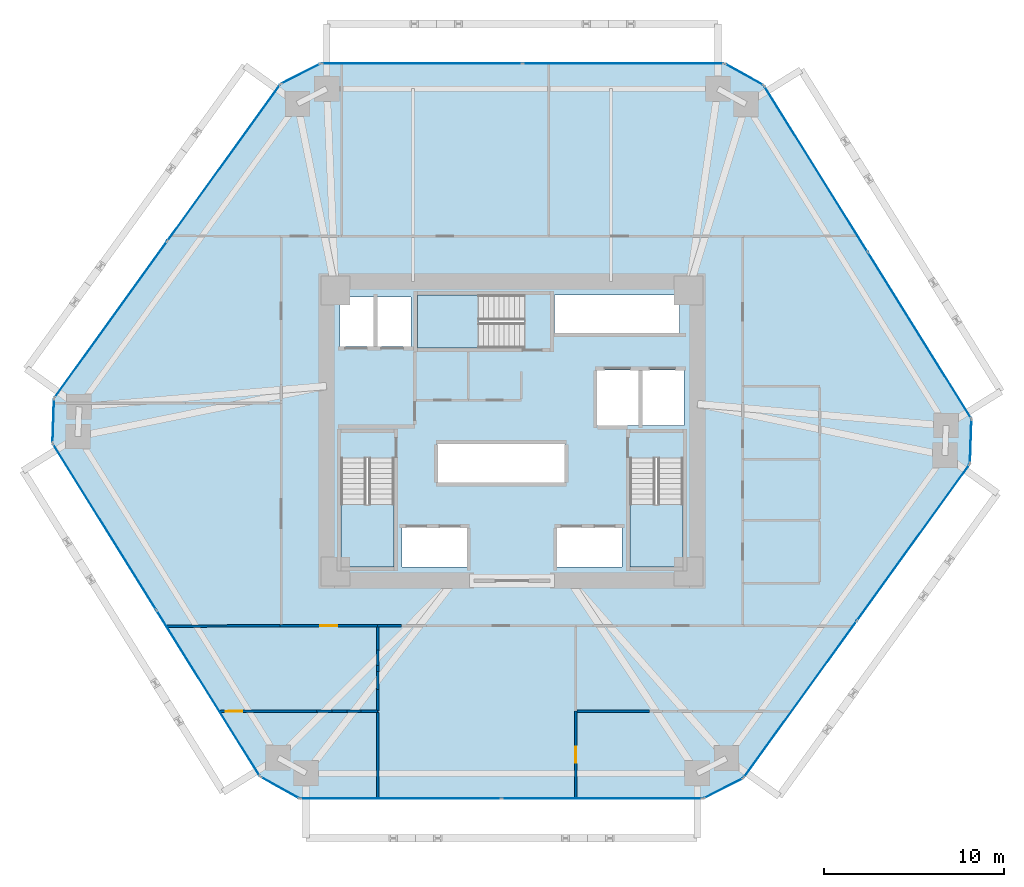
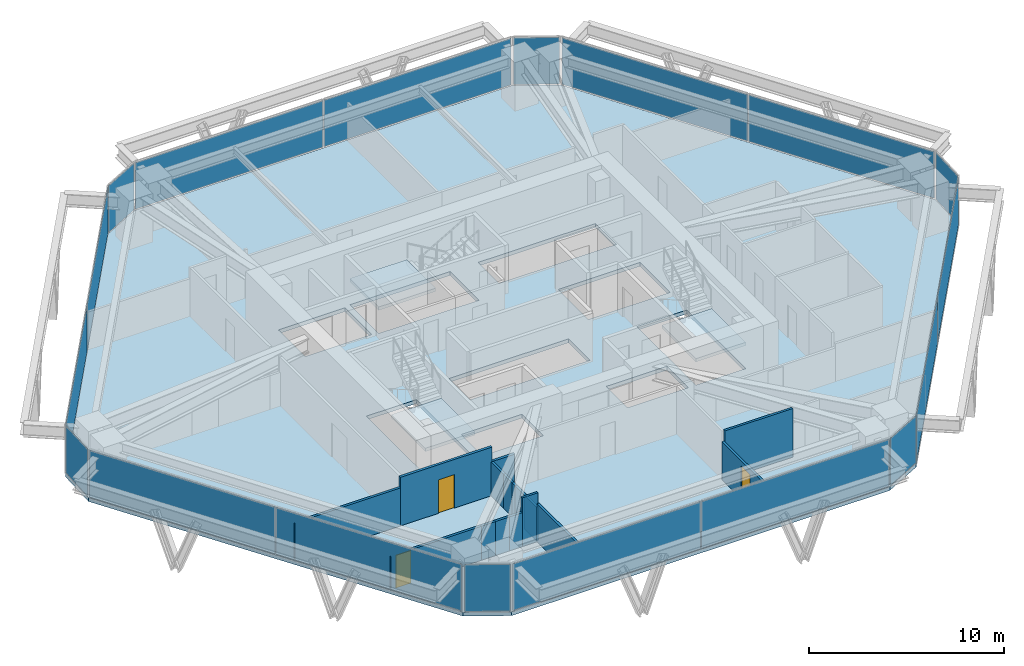
# One storey, part 10 of 14: 18 plates, 16 walls, 4 slabs, 3 doors, 3 openings, 15 elements without a shape of their own.
"""IFC4 building model written with IfcOpenShell, lengths in metres."""

from ifc_helpers import new_model, si_unit, direction, frame, frame_2d, origin, origin_2d, place, context, subcontext, project, spatial, polyline, rectangle, outline, extrude, source, transform, mapped, material, layer, layer_set, type_object, type_shapes, element, fill, aggregate, save


model = new_model("IFC4")

# Units and contexts
model_context = context("Model", 3, precision=1e-05, world=origin(), true_north=direction((0.0, 1.0)))
body_context = subcontext(model_context, "Body", "Model", "MODEL_VIEW")
ifc_project = project(units=[si_unit("LENGTHUNIT", "METRE"), si_unit("AREAUNIT", "SQUARE_METRE"), si_unit("VOLUMEUNIT", "CUBIC_METRE"), si_unit("PLANEANGLEUNIT", "RADIAN"), si_unit("MASSUNIT", "GRAM", prefix="KILO")], contexts=[model_context])

# Site, building, storey
site_placement = place(None, origin())
site = spatial("IfcSite", under=ifc_project, at=site_placement, CompositionType="ELEMENT")
building_placement = place(site_placement, origin())
building = spatial("IfcBuilding", under=site, at=building_placement, Name="Durnholm Broadcast Tower", CompositionType="ELEMENT")
storey_placement = place(building_placement, frame((0.0, 0.0, 48.89990234375)))
storey = spatial("IfcBuildingStorey", under=building, at=storey_placement, Name="L11", CompositionType="ELEMENT", Elevation=48.89990234375)

# Slab
ifc_material_1 = material(Name="Concrete C50/60", Category="concrete")
ifc_layer_1 = layer(ifc_material_1, 0.239990234375)
ifc_layer_set_1 = layer_set([ifc_layer_1], Name="Concrete C50/60")
slab_type_1 = type_object("IfcSlabType", Name="SLAB-FLR-240", PredefinedType="FLOOR", material=ifc_layer_set_1)
slab_1_placement = place(storey_placement, frame((0.0, 0.0, -0.239990234375)))
element("IfcSlab", 1, at=slab_1_placement, inside=storey, type_object=slab_type_1, Name="L11 structural floor slab", PredefinedType="FLOOR", context=body_context, shape_type="SweptSolid", body=[
    extrude(outline(polyline([(-13.9794921875, -19.186279296875), (-11.793701171875, -20.39990234375), (10.6201171875, -20.39990234375), (12.845703125, -19.260986328125), (25.419921875, -1.820556640625), (25.50439453125, 0.677978515625), (13.9794921875, 19.186279296875), (11.793701171875, 20.39990234375), (-10.6201171875, 20.39990234375), (-12.845703125, 19.260986328125), (-25.419921875, 1.820556640625), (-25.50439453125, -0.677978515625), (-13.9794921875, -19.186279296875)]), holes=[polyline([(-2.5, -5.35009765625), (-6.10009765625, -5.35009765625), (-6.10009765625, -7.550048828125), (-2.5, -7.550048828125), (-2.5, -5.35009765625)]), polyline([(6.10009765625, -5.35009765625), (2.5, -5.35009765625), (2.5, -7.550048828125), (6.10009765625, -7.550048828125), (6.10009765625, -5.35009765625)]), polyline([(-6.5400390625, -7.550048828125), (-6.5400390625, -1.5), (-9.5, -1.5), (-9.5, -7.550048828125), (-6.5400390625, -7.550048828125)]), polyline([(9.5, -7.550048828125), (9.5, -1.5), (6.5400390625, -1.5), (6.5400390625, -7.550048828125), (9.5, -7.550048828125)]), polyline([(2.949951171875, -0.699951171875), (-4.14990234375, -0.699951171875), (-4.14990234375, -2.89990234375), (2.949951171875, -2.89990234375), (2.949951171875, -0.699951171875)]), polyline([(9.550048828125, 3.39990234375), (4.699951171875, 3.39990234375), (4.699951171875, 0.300048828125), (9.550048828125, 0.300048828125), (9.550048828125, 3.39990234375)]), polyline([(-5.60009765625, 7.449951171875), (-9.550048828125, 7.449951171875), (-9.550048828125, 4.699951171875), (-5.60009765625, 4.699951171875), (-5.60009765625, 7.449951171875)]), polyline([(-5.25, 7.56005859375), (-5.25, 4.60009765625), (0.699951171875, 4.60009765625), (0.699951171875, 7.56005859375), (-5.25, 7.56005859375)]), polyline([(9.31005859375, 5.39990234375), (9.31005859375, 7.550048828125), (2.35009765625, 7.550048828125), (2.35009765625, 5.39990234375), (9.31005859375, 5.39990234375)])]), origin(), (0.0, 0.0, 1.0), 0.239990234375),
])

# Stair, slab
stair_type = type_object("IfcStairType", Name="STAIR-DL-20R1650", PredefinedType="HALF_TURN_STAIR", material=ifc_material_1)
stair_1_placement = place(storey_placement, origin())
stair_1 = element("IfcStair", 2, at=stair_1_placement, inside=storey, type_object=stair_type, Name="L11 ST-1", PredefinedType="HALF_TURN_STAIR")
ifc_layer_2 = layer(ifc_material_1, 0.199951171875)
ifc_layer_set_2 = layer_set([ifc_layer_2], Name="Concrete C50/60")
slab_type_2 = type_object("IfcSlabType", Name="SLAB-LND-200", PredefinedType="LANDING", material=ifc_layer_set_2)
slab_2_placement = place(storey_placement, frame((0.0, 0.0, 1.4501953125)))
slab_2 = element("IfcSlab", 3, at=slab_2_placement, type_object=slab_type_2, Name="ST-1 landing 1", PredefinedType="LANDING", context=body_context, shape_type="SweptSolid", body=[
    extrude(outline(polyline([(-9.5, -4.06494140625), (-9.5, -7.550048828125), (-6.5400390625, -7.550048828125), (-6.5400390625, -4.06494140625), (-9.5, -4.06494140625)])), origin(), (0.0, 0.0, 1.0), 0.199951171875),
])
aggregate(stair_1, [slab_2])

stair_2_placement = place(storey_placement, origin())
stair_2 = element("IfcStair", 4, at=stair_2_placement, inside=storey, type_object=stair_type, Name="L11 ST-2", PredefinedType="HALF_TURN_STAIR")
slab_3_placement = place(storey_placement, frame((0.0, 0.0, 1.4501953125)))
slab_3 = element("IfcSlab", 5, at=slab_3_placement, type_object=slab_type_2, Name="ST-2 landing 1", PredefinedType="LANDING", context=body_context, shape_type="SweptSolid", body=[
    extrude(outline(polyline([(6.5400390625, -4.06494140625), (6.5400390625, -7.550048828125), (9.5, -7.550048828125), (9.5, -4.06494140625), (6.5400390625, -4.06494140625)])), origin(), (0.0, 0.0, 1.0), 0.199951171875),
])
aggregate(stair_2, [slab_3])

stair_3_placement = place(storey_placement, origin())
stair_3 = element("IfcStair", 6, at=stair_3_placement, inside=storey, type_object=stair_type, Name="L11 ST-3", PredefinedType="HALF_TURN_STAIR")
slab_4_placement = place(storey_placement, frame((0.0, 0.0, 1.4501953125)))
slab_4 = element("IfcSlab", 7, at=slab_4_placement, type_object=slab_type_2, Name="ST-3 landing 1", PredefinedType="LANDING", context=body_context, shape_type="SweptSolid", body=[
    extrude(outline(polyline([(-1.864990234375, 7.56005859375), (-5.25, 7.56005859375), (-5.25, 4.60009765625), (-1.864990234375, 4.60009765625), (-1.864990234375, 7.56005859375)])), origin(), (0.0, 0.0, 1.0), 0.199951171875),
])
aggregate(stair_3, [slab_4])

# Curtain wall, plate
ifc_material_2 = material(Name="Aluminium and Solar Control IGU", Category="aluminium")
ifc_layer_3 = layer(ifc_material_2, 0.1650390625)
ifc_layer_set_3 = layer_set([ifc_layer_3], Name="Aluminium and Solar Control IGU")
curtain_wall_type_1 = type_object("IfcCurtainWallType", Name="CW-SYS-5", PredefinedType="NOTDEFINED", material=ifc_layer_set_3)
curtain_wall_1_placement = place(storey_placement, origin())
curtain_wall_1 = element("IfcCurtainWall", 8, at=curtain_wall_1_placement, inside=storey, type_object=curtain_wall_type_1, Name="L11 curtain wall CW-CORNER CW-L11-CRN-01", PredefinedType="NOTDEFINED")
ifc_material_3 = material(Name="Low-E Laminated Insulating Glass", Category="glass")
ifc_layer_4 = layer(ifc_material_3, 0.030029296875)
ifc_layer_set_4 = layer_set([ifc_layer_4], Name="Low-E Laminated Insulating Glass")
plate_type_1 = type_object("IfcPlateType", Name="CW-SYS-5-PNL", PredefinedType="CURTAIN_PANEL", material=ifc_layer_set_4)
shared_shape_1 = source(origin(), body_context, "Body", "SweptSolid", [
    extrude(rectangle(XDim=2.3701171875, YDim=0.030029296875, at=origin_2d()), origin(), (0.0, 0.0, 1.0), 2.929931640625),
])
plate_1_placement = place(storey_placement, frame((-25.462158203125, 0.5712890625, 0.06494140625), z_axis=(0.0, 0.0, 1.0), x_axis=(0.033839569233, 0.999427277772, 0.0)))
plate_1 = element("IfcPlate", 9, at=plate_1_placement, type_object=plate_type_1, Name="CW-CORNER panel 1.1", PredefinedType="CURTAIN_PANEL", context=body_context, shape_type="MappedRepresentation", body=[
    mapped(shared_shape_1, transform((0.0, 0.0, 0.0), x_axis=(1.0, 0.0, 0.0), y_axis=(0.0, 1.0, 0.0), z_axis=(0.0, 0.0, 1.0), scale=1.0)),
])
aggregate(curtain_wall_1, [plate_1])

curtain_wall_2_placement = place(storey_placement, origin())
curtain_wall_2 = element("IfcCurtainWall", 10, at=curtain_wall_2_placement, inside=storey, type_object=curtain_wall_type_1, Name="L11 curtain wall CW-CORNER CW-L11-CRN-03", PredefinedType="NOTDEFINED")
plate_2_placement = place(storey_placement, frame((-11.73291015625, 19.83056640625, 0.06494140625), z_axis=(0.0, 0.0, 1.0), x_axis=(0.890187804512, 0.455593758406, 0.0)))
plate_2 = element("IfcPlate", 11, at=plate_2_placement, type_object=plate_type_1, Name="CW-CORNER panel 1.1", PredefinedType="CURTAIN_PANEL", context=body_context, shape_type="MappedRepresentation", body=[
    mapped(shared_shape_1, transform((0.0, 0.0, 0.0), x_axis=(1.0, 0.0, 0.0), y_axis=(0.0, 1.0, 0.0), z_axis=(0.0, 0.0, 1.0), scale=1.0)),
])
aggregate(curtain_wall_2, [plate_2])

curtain_wall_3_placement = place(storey_placement, origin())
curtain_wall_3 = element("IfcCurtainWall", 12, at=curtain_wall_3_placement, inside=storey, type_object=curtain_wall_type_1, Name="L11 curtain wall CW-CORNER CW-L11-CRN-07", PredefinedType="NOTDEFINED")
plate_3_placement = place(storey_placement, frame((25.462158203125, -0.5712890625, 0.06494140625), z_axis=(0.0, 0.0, 1.0), x_axis=(-0.033839569233, -0.999427277772, 0.0)))
plate_3 = element("IfcPlate", 13, at=plate_3_placement, type_object=plate_type_1, Name="CW-CORNER panel 1.1", PredefinedType="CURTAIN_PANEL", context=body_context, shape_type="MappedRepresentation", body=[
    mapped(shared_shape_1, transform((0.0, 0.0, 0.0), x_axis=(1.0, 0.0, 0.0), y_axis=(0.0, 1.0, 0.0), z_axis=(0.0, 0.0, 1.0), scale=1.0)),
])
aggregate(curtain_wall_3, [plate_3])

curtain_wall_4_placement = place(storey_placement, origin())
curtain_wall_4 = element("IfcCurtainWall", 14, at=curtain_wall_4_placement, inside=storey, type_object=curtain_wall_type_1, Name="L11 curtain wall CW-CORNER CW-L11-CRN-09", PredefinedType="NOTDEFINED")
plate_4_placement = place(storey_placement, frame((11.73291015625, -19.83056640625, 0.06494140625), z_axis=(0.0, 0.0, 1.0), x_axis=(-0.890187804512, -0.455593758406, 0.0)))
plate_4 = element("IfcPlate", 15, at=plate_4_placement, type_object=plate_type_1, Name="CW-CORNER panel 1.1", PredefinedType="CURTAIN_PANEL", context=body_context, shape_type="MappedRepresentation", body=[
    mapped(shared_shape_1, transform((0.0, 0.0, 0.0), x_axis=(1.0, 0.0, 0.0), y_axis=(0.0, 1.0, 0.0), z_axis=(0.0, 0.0, 1.0), scale=1.0)),
])
aggregate(curtain_wall_4, [plate_4])

# Curtain wall, plates
ifc_layer_5 = layer(ifc_material_2, 0.18994140625)
ifc_layer_set_5 = layer_set([ifc_layer_5], Name="Aluminium and Solar Control IGU")
curtain_wall_type_2 = type_object("IfcCurtainWallType", Name="CW-SYS-3", PredefinedType="NOTDEFINED", material=ifc_layer_set_5)
curtain_wall_5_placement = place(storey_placement, origin())
curtain_wall_5 = element("IfcCurtainWall", 16, at=curtain_wall_5_placement, inside=storey, type_object=curtain_wall_type_2, Name="L11 curtain wall CW-Z12-VIS CW-L11-F02", PredefinedType="NOTDEFINED")
ifc_layer_6 = layer(ifc_material_3, 0.031982421875)
ifc_layer_set_6 = layer_set([ifc_layer_6], Name="Low-E Laminated Insulating Glass")
plate_type_2 = type_object("IfcPlateType", Name="CW-SYS-3-PNL", PredefinedType="CURTAIN_PANEL", material=ifc_layer_set_6)
shared_shape_2 = source(origin(), body_context, "Body", "SweptSolid", [
    extrude(rectangle(XDim=10.645263671875, YDim=0.031982421875, at=origin_2d()), origin(), (0.0, 0.0, 1.0), 2.919921875),
])
plate_5_placement = place(storey_placement, frame((-22.26611328125, 6.19482421875, 0.070068359375), z_axis=(0.0, 0.0, 1.0), x_axis=(0.584823496176, 0.81116057493, 0.0)))
plate_5 = element("IfcPlate", 17, at=plate_5_placement, type_object=plate_type_2, Name="CW-Z12-VIS panel 1.1", PredefinedType="CURTAIN_PANEL", context=body_context, shape_type="MappedRepresentation", body=[
    mapped(shared_shape_2, transform((0.0, 0.0, 0.0), x_axis=(1.0, 0.0, 0.0), y_axis=(0.0, 1.0, 0.0), z_axis=(0.0, 0.0, 1.0), scale=1.0)),
])
plate_6_placement = place(storey_placement, frame((-15.99951171875, 14.88671875, 0.070068359375), z_axis=(0.0, 0.0, 1.0), x_axis=(0.584823496176, 0.81116057493, 0.0)))
plate_6 = element("IfcPlate", 18, at=plate_6_placement, type_object=plate_type_2, Name="CW-Z12-VIS panel 2.1", PredefinedType="CURTAIN_PANEL", context=body_context, shape_type="MappedRepresentation", body=[
    mapped(shared_shape_2, transform((0.0, 0.0, 0.0), x_axis=(1.0, 0.0, 0.0), y_axis=(0.0, 1.0, 0.0), z_axis=(0.0, 0.0, 1.0), scale=1.0)),
])
aggregate(curtain_wall_5, [plate_5, plate_6])

curtain_wall_6_placement = place(storey_placement, origin())
curtain_wall_6 = element("IfcCurtainWall", 19, at=curtain_wall_6_placement, inside=storey, type_object=curtain_wall_type_2, Name="L11 curtain wall CW-Z12-VIS CW-L11-F08", PredefinedType="NOTDEFINED")
plate_7_placement = place(storey_placement, frame((22.26611328125, -6.19482421875, 0.070068359375), z_axis=(0.0, 0.0, 1.0), x_axis=(-0.584823496176, -0.81116057493, 0.0)))
plate_7 = element("IfcPlate", 20, at=plate_7_placement, type_object=plate_type_2, Name="CW-Z12-VIS panel 1.1", PredefinedType="CURTAIN_PANEL", context=body_context, shape_type="MappedRepresentation", body=[
    mapped(shared_shape_2, transform((0.0, 0.0, 0.0), x_axis=(1.0, 0.0, 0.0), y_axis=(0.0, 1.0, 0.0), z_axis=(0.0, 0.0, 1.0), scale=1.0)),
])
plate_8_placement = place(storey_placement, frame((15.99951171875, -14.88671875, 0.070068359375), z_axis=(0.0, 0.0, 1.0), x_axis=(-0.584823496176, -0.81116057493, 0.0)))
plate_8 = element("IfcPlate", 21, at=plate_8_placement, type_object=plate_type_2, Name="CW-Z12-VIS panel 2.1", PredefinedType="CURTAIN_PANEL", context=body_context, shape_type="MappedRepresentation", body=[
    mapped(shared_shape_2, transform((0.0, 0.0, 0.0), x_axis=(1.0, 0.0, 0.0), y_axis=(0.0, 1.0, 0.0), z_axis=(0.0, 0.0, 1.0), scale=1.0)),
])
aggregate(curtain_wall_6, [plate_7, plate_8])

# Curtain wall, plate
curtain_wall_7_placement = place(storey_placement, origin())
curtain_wall_7 = element("IfcCurtainWall", 22, at=curtain_wall_7_placement, inside=storey, type_object=curtain_wall_type_1, Name="L11 curtain wall CW-CORNER CW-L11-CRN-05", PredefinedType="NOTDEFINED")
shared_shape_3 = source(origin(), body_context, "Body", "SweptSolid", [
    extrude(rectangle(XDim=2.369873046875, YDim=0.030029296875, at=origin_2d()), origin(), (0.0, 0.0, 1.0), 2.929931640625),
])
type_shapes(plate_type_1, [shared_shape_1, shared_shape_3])
plate_9_placement = place(storey_placement, frame((12.88671875, 19.793212890625, 0.06494140625), z_axis=(0.0, 0.0, 1.0), x_axis=(0.874245941394, -0.485483299359, 0.0)))
plate_9 = element("IfcPlate", 23, at=plate_9_placement, type_object=plate_type_1, Name="CW-CORNER panel 1.1", PredefinedType="CURTAIN_PANEL", context=body_context, shape_type="MappedRepresentation", body=[
    mapped(shared_shape_3, transform((0.0, 0.0, 0.0), x_axis=(1.0, 0.0, 0.0), y_axis=(0.0, 1.0, 0.0), z_axis=(0.0, 0.0, 1.0), scale=1.0)),
])
aggregate(curtain_wall_7, [plate_9])

curtain_wall_8_placement = place(storey_placement, origin())
curtain_wall_8 = element("IfcCurtainWall", 24, at=curtain_wall_8_placement, inside=storey, type_object=curtain_wall_type_1, Name="L11 curtain wall CW-CORNER CW-L11-CRN-11", PredefinedType="NOTDEFINED")
plate_10_placement = place(storey_placement, frame((-12.88671875, -19.793212890625, 0.06494140625), z_axis=(0.0, 0.0, 1.0), x_axis=(-0.874245941394, 0.485483299359, 0.0)))
plate_10 = element("IfcPlate", 25, at=plate_10_placement, type_object=plate_type_1, Name="CW-CORNER panel 1.1", PredefinedType="CURTAIN_PANEL", context=body_context, shape_type="MappedRepresentation", body=[
    mapped(shared_shape_3, transform((0.0, 0.0, 0.0), x_axis=(1.0, 0.0, 0.0), y_axis=(0.0, 1.0, 0.0), z_axis=(0.0, 0.0, 1.0), scale=1.0)),
])
aggregate(curtain_wall_8, [plate_10])

# Curtain wall, plates
curtain_wall_9_placement = place(storey_placement, origin())
curtain_wall_9 = element("IfcCurtainWall", 26, at=curtain_wall_9_placement, inside=storey, type_object=curtain_wall_type_2, Name="L11 curtain wall CW-Z12-VIS CW-L11-F06", PredefinedType="NOTDEFINED")
shared_shape_4 = source(origin(), body_context, "Body", "SweptSolid", [
    extrude(rectangle(XDim=10.796630859375, YDim=0.031982421875, at=origin_2d()), origin(), (0.0, 0.0, 1.0), 2.919921875),
])
plate_11_placement = place(storey_placement, frame((16.869873046875, 14.54443359375, 0.070068359375), z_axis=(0.0, 0.0, 1.0), x_axis=(0.528592376777, -0.848875785503, 0.0)))
plate_11 = element("IfcPlate", 27, at=plate_11_placement, type_object=plate_type_2, Name="CW-Z12-VIS panel 1.1", PredefinedType="CURTAIN_PANEL", context=body_context, shape_type="MappedRepresentation", body=[
    mapped(shared_shape_4, transform((0.0, 0.0, 0.0), x_axis=(1.0, 0.0, 0.0), y_axis=(0.0, 1.0, 0.0), z_axis=(0.0, 0.0, 1.0), scale=1.0)),
])
plate_12_placement = place(storey_placement, frame((22.614013671875, 5.320068359375, 0.070068359375), z_axis=(0.0, 0.0, 1.0), x_axis=(0.528592376777, -0.848875785503, 0.0)))
plate_12 = element("IfcPlate", 28, at=plate_12_placement, type_object=plate_type_2, Name="CW-Z12-VIS panel 2.1", PredefinedType="CURTAIN_PANEL", context=body_context, shape_type="MappedRepresentation", body=[
    mapped(shared_shape_4, transform((0.0, 0.0, 0.0), x_axis=(1.0, 0.0, 0.0), y_axis=(0.0, 1.0, 0.0), z_axis=(0.0, 0.0, 1.0), scale=1.0)),
])
aggregate(curtain_wall_9, [plate_11, plate_12])

curtain_wall_10_placement = place(storey_placement, origin())
curtain_wall_10 = element("IfcCurtainWall", 29, at=curtain_wall_10_placement, inside=storey, type_object=curtain_wall_type_2, Name="L11 curtain wall CW-Z12-VIS CW-L11-F12", PredefinedType="NOTDEFINED")
plate_13_placement = place(storey_placement, frame((-16.869873046875, -14.54443359375, 0.070068359375), z_axis=(0.0, 0.0, 1.0), x_axis=(-0.528592376777, 0.848875785503, 0.0)))
plate_13 = element("IfcPlate", 30, at=plate_13_placement, type_object=plate_type_2, Name="CW-Z12-VIS panel 1.1", PredefinedType="CURTAIN_PANEL", context=body_context, shape_type="MappedRepresentation", body=[
    mapped(shared_shape_4, transform((0.0, 0.0, 0.0), x_axis=(1.0, 0.0, 0.0), y_axis=(0.0, 1.0, 0.0), z_axis=(0.0, 0.0, 1.0), scale=1.0)),
])
plate_14_placement = place(storey_placement, frame((-22.614013671875, -5.320068359375, 0.070068359375), z_axis=(0.0, 0.0, 1.0), x_axis=(-0.528592376777, 0.848875785503, 0.0)))
plate_14 = element("IfcPlate", 31, at=plate_14_placement, type_object=plate_type_2, Name="CW-Z12-VIS panel 2.1", PredefinedType="CURTAIN_PANEL", context=body_context, shape_type="MappedRepresentation", body=[
    mapped(shared_shape_4, transform((0.0, 0.0, 0.0), x_axis=(1.0, 0.0, 0.0), y_axis=(0.0, 1.0, 0.0), z_axis=(0.0, 0.0, 1.0), scale=1.0)),
])
aggregate(curtain_wall_10, [plate_13, plate_14])

curtain_wall_11_placement = place(storey_placement, origin())
curtain_wall_11 = element("IfcCurtainWall", 32, at=curtain_wall_11_placement, inside=storey, type_object=curtain_wall_type_2, Name="L11 curtain wall CW-Z12-VIS CW-L11-F04", PredefinedType="NOTDEFINED")
shared_shape_5 = source(origin(), body_context, "Body", "SweptSolid", [
    extrude(rectangle(XDim=11.10205078125, YDim=0.031982421875, at=origin_2d()), origin(), (0.0, 0.0, 1.0), 2.919921875),
])
type_shapes(plate_type_2, [shared_shape_2, shared_shape_4, shared_shape_5])
plate_15_placement = place(storey_placement, frame((-4.999267578125, 20.39990234375, 0.070068359375), z_axis=(0.0, 0.0, 1.0), x_axis=(1.0, 0.0, 0.0)))
plate_15 = element("IfcPlate", 33, at=plate_15_placement, type_object=plate_type_2, Name="CW-Z12-VIS panel 1.1", PredefinedType="CURTAIN_PANEL", context=body_context, shape_type="MappedRepresentation", body=[
    mapped(shared_shape_5, transform((0.0, 0.0, 0.0), x_axis=(1.0, 0.0, 0.0), y_axis=(0.0, 1.0, 0.0), z_axis=(0.0, 0.0, 1.0), scale=1.0)),
])
plate_16_placement = place(storey_placement, frame((6.1728515625, 20.39990234375, 0.070068359375), z_axis=(0.0, 0.0, 1.0), x_axis=(1.0, 0.0, 0.0)))
plate_16 = element("IfcPlate", 34, at=plate_16_placement, type_object=plate_type_2, Name="CW-Z12-VIS panel 2.1", PredefinedType="CURTAIN_PANEL", context=body_context, shape_type="MappedRepresentation", body=[
    mapped(shared_shape_5, transform((0.0, 0.0, 0.0), x_axis=(1.0, 0.0, 0.0), y_axis=(0.0, 1.0, 0.0), z_axis=(0.0, 0.0, 1.0), scale=1.0)),
])
aggregate(curtain_wall_11, [plate_15, plate_16])

curtain_wall_12_placement = place(storey_placement, origin())
curtain_wall_12 = element("IfcCurtainWall", 35, at=curtain_wall_12_placement, inside=storey, type_object=curtain_wall_type_2, Name="L11 curtain wall CW-Z12-VIS CW-L11-F10", PredefinedType="NOTDEFINED")
plate_17_placement = place(storey_placement, frame((4.999267578125, -20.39990234375, 0.070068359375), z_axis=(0.0, 0.0, 1.0), x_axis=(-1.0, 0.0, 0.0)))
plate_17 = element("IfcPlate", 36, at=plate_17_placement, type_object=plate_type_2, Name="CW-Z12-VIS panel 1.1", PredefinedType="CURTAIN_PANEL", context=body_context, shape_type="MappedRepresentation", body=[
    mapped(shared_shape_5, transform((0.0, 0.0, 0.0), x_axis=(1.0, 0.0, 0.0), y_axis=(0.0, 1.0, 0.0), z_axis=(0.0, 0.0, 1.0), scale=1.0)),
])
plate_18_placement = place(storey_placement, frame((-6.1728515625, -20.39990234375, 0.070068359375), z_axis=(0.0, 0.0, 1.0), x_axis=(-1.0, 0.0, 0.0)))
plate_18 = element("IfcPlate", 37, at=plate_18_placement, type_object=plate_type_2, Name="CW-Z12-VIS panel 2.1", PredefinedType="CURTAIN_PANEL", context=body_context, shape_type="MappedRepresentation", body=[
    mapped(shared_shape_5, transform((0.0, 0.0, 0.0), x_axis=(1.0, 0.0, 0.0), y_axis=(0.0, 1.0, 0.0), z_axis=(0.0, 0.0, 1.0), scale=1.0)),
])
aggregate(curtain_wall_12, [plate_17, plate_18])

# Wall, opening, door
ifc_material_4 = material(Name="Gypsum Metal Stud Partition", Category="concrete")
ifc_layer_7 = layer(ifc_material_4, 0.135009765625)
ifc_layer_set_7 = layer_set([ifc_layer_7], Name="Gypsum Metal Stud Partition")
wall_type_1 = type_object("IfcWallType", Name="WALL-PART-135", PredefinedType="PARTITIONING", material=ifc_layer_set_7)
wall_1_placement = place(storey_placement, frame((-16.233642578125, -15.566162109375, 0.0), z_axis=(0.0, 0.0, 1.0), x_axis=(0.999997015087, 0.002443321063, 0.0)))
wall_1 = element("IfcWall", 38, at=wall_1_placement, inside=storey, type_object=wall_type_1, Name="L11 room dividing partition 9.10", PredefinedType="PARTITIONING", context=body_context, shape_type="SweptSolid", body=[
    extrude(rectangle(XDim=5.395751953125, YDim=0.135009765625, at=frame_2d((2.69775390625, 0.0))), origin(), (0.0, 0.0, 1.0), 2.130126953125),
])
opening_1_placement = place(wall_1_placement, frame((0.35009765625, 0.0, 0.0)))
opening_1 = element("IfcOpeningElement", 39, at=opening_1_placement, cuts=wall_1, Name="Opening DW-90L", PredefinedType="OPENING", context=body_context, shape_type="SweptSolid", body=[
    extrude(rectangle(XDim=0.89990234375, YDim=2.050048828125, at=frame_2d((0.449951171875, 1.02490234375))), frame((0.0, 0.07763671875, 0.0), z_axis=(0.0, -1.0, 0.0), x_axis=(1.0, 0.0, 0.0)), (0.0, 0.0, 1.0), 0.155029296875),
])
ifc_material_5 = material(Name="Laminate Restroom Door", Category="steel")
ifc_layer_8 = layer(ifc_material_5, 0.050048828125)
ifc_layer_set_8 = layer_set([ifc_layer_8], Name="Laminate Restroom Door")
door_type_1 = type_object("IfcDoorType", Name="DOOR-WC-900L", OperationType="NOTDEFINED", PredefinedType="DOOR", material=ifc_layer_set_8)
shared_shape_6 = source(origin(), body_context, "Body", "SweptSolid", [
    extrude(rectangle(XDim=0.89990234375, YDim=2.050048828125, at=frame_2d((0.449951171875, 1.02490234375))), frame((0.0, 0.02490234375, 0.0), z_axis=(0.0, -1.0, 0.0), x_axis=(1.0, 0.0, 0.0)), (0.0, 0.0, 1.0), 0.050048828125),
])
type_shapes(door_type_1, [shared_shape_6])
door_1_placement = place(opening_1_placement, origin())
door_1 = element("IfcDoor", 40, at=door_1_placement, inside=storey, type_object=door_type_1, Name="L11 Open Plan Broadcast Workspace 5 connecting door", OperationType="SINGLE_SWING_LEFT", OverallHeight=2.050048828125, OverallWidth=0.89990234375, PredefinedType="DOOR", context=body_context, shape_type="MappedRepresentation", body=[
    mapped(shared_shape_6, transform((0.0, 0.0, 0.0), x_axis=(1.0, 0.0, 0.0), y_axis=(0.0, 1.0, 0.0), z_axis=(0.0, 0.0, 1.0), scale=1.0)),
])
fill(opening_1, door_1)

# Walls
wall_2_placement = place(storey_placement, frame((-9.984130859375, -15.551025390625, 0.0), z_axis=(0.0, 0.0, 1.0), x_axis=(0.999997208907, 0.002362663222, 0.0)))
element("IfcWall", 41, at=wall_2_placement, inside=storey, type_object=wall_type_1, Name="L11 room dividing partition 9.10", PredefinedType="PARTITIONING", context=body_context, shape_type="SweptSolid", body=[
    extrude(rectangle(XDim=0.82666015625, YDim=0.135009765625, at=frame_2d((0.413330078125, 0.0))), origin(), (0.0, 0.0, 1.0), 2.130126953125),
])
wall_3_placement = place(storey_placement, frame((-8.39404296875, -15.547119140625, 0.0), z_axis=(0.0, 0.0, 1.0), x_axis=(0.999997233292, 0.002352319681, 0.0)))
element("IfcWall", 42, at=wall_3_placement, inside=storey, type_object=wall_type_1, Name="L11 room dividing partition 9.10", PredefinedType="PARTITIONING", context=body_context, shape_type="SweptSolid", body=[
    extrude(rectangle(XDim=0.93408203125, YDim=0.135009765625, at=frame_2d((0.467041015625, 0.0))), origin(), (0.0, 0.0, 1.0), 3.045166015625),
])
wall_4_placement = place(storey_placement, frame((-10.837890625, -15.552978515625, 0.0), z_axis=(0.0, 0.0, 1.0), x_axis=(0.999997383281, 0.002287669164, 0.0)))
element("IfcWall", 43, at=wall_4_placement, inside=storey, type_object=wall_type_1, Name="L11 room dividing partition 9.10", PredefinedType="PARTITIONING", context=body_context, shape_type="SweptSolid", body=[
    extrude(rectangle(XDim=0.853759765625, YDim=0.135009765625, at=frame_2d((0.4267578125, 0.0))), origin(), (0.0, 0.0, 1.0), 2.130126953125),
])
wall_5_placement = place(storey_placement, frame((-9.157470703125, -15.549072265625, 0.0), z_axis=(0.0, 0.0, 1.0), x_axis=(0.999996727406, 0.002558354275, 0.0)))
element("IfcWall", 44, at=wall_5_placement, inside=storey, type_object=wall_type_1, Name="L11 room dividing partition 9.10", PredefinedType="PARTITIONING", context=body_context, shape_type="SweptSolid", body=[
    extrude(rectangle(XDim=0.763427734375, YDim=0.135009765625, at=frame_2d((0.3818359375, 0.0))), origin(), (0.0, 0.0, 1.0), 2.130126953125),
])
wall_6_placement = place(storey_placement, frame((-7.4599609375, -15.616455078125, 0.0), z_axis=(0.0, 0.0, 1.0), x_axis=(0.0, -1.0, 0.0)))
element("IfcWall", 45, at=wall_6_placement, inside=storey, type_object=wall_type_1, Name="L11 room dividing partition 9.11", PredefinedType="PARTITIONING", context=body_context, shape_type="SweptSolid", body=[
    extrude(rectangle(XDim=4.783447265625, YDim=0.135009765625, at=frame_2d((2.3916015625, 0.0))), origin(), (0.0, 0.0, 1.0), 2.380126953125),
])
wall_7_placement = place(storey_placement, frame((-7.4599609375, -10.888916015625, 0.0), z_axis=(0.0, 0.0, 1.0), x_axis=(0.0, -1.0, 0.0)))
element("IfcWall", 46, at=wall_7_placement, inside=storey, type_object=wall_type_1, Name="L11 room dividing partition 10.11", PredefinedType="PARTITIONING", context=body_context, shape_type="SweptSolid", body=[
    extrude(rectangle(XDim=1.26708984375, YDim=0.135009765625, at=frame_2d((0.633544921875, 0.0))), origin(), (0.0, 0.0, 1.0), 2.130126953125),
])
wall_8_placement = place(storey_placement, frame((-7.4599609375, -13.0126953125, 0.0), z_axis=(0.0, 0.0, 1.0), x_axis=(0.0, -1.0, 0.0)))
element("IfcWall", 47, at=wall_8_placement, inside=storey, type_object=wall_type_1, Name="L11 room dividing partition 10.11", PredefinedType="PARTITIONING", context=body_context, shape_type="SweptSolid", body=[
    extrude(rectangle(XDim=0.32958984375, YDim=0.135009765625, at=frame_2d((0.164794921875, 0.0))), origin(), (0.0, 0.0, 1.0), 2.130126953125),
])
wall_9_placement = place(storey_placement, frame((-7.4599609375, -14.3330078125, 0.0), z_axis=(0.0, 0.0, 1.0), x_axis=(0.0, -1.0, 0.0)))
element("IfcWall", 48, at=wall_9_placement, inside=storey, type_object=wall_type_1, Name="L11 room dividing partition 10.11", PredefinedType="PARTITIONING", context=body_context, shape_type="SweptSolid", body=[
    extrude(rectangle(XDim=1.2119140625, YDim=0.135009765625, at=frame_2d((0.60595703125, 0.0))), origin(), (0.0, 0.0, 1.0), 2.130126953125),
])
wall_10_placement = place(storey_placement, frame((-7.4599609375, -12.156005859375, 0.0), z_axis=(0.0, 0.0, 1.0), x_axis=(0.0, -1.0, 0.0)))
element("IfcWall", 49, at=wall_10_placement, inside=storey, type_object=wall_type_1, Name="L11 room dividing partition 10.11", PredefinedType="PARTITIONING", context=body_context, shape_type="SweptSolid", body=[
    extrude(rectangle(XDim=0.856689453125, YDim=0.135009765625, at=frame_2d((0.42822265625, 0.0))), origin(), (0.0, 0.0, 1.0), 2.130126953125),
])
wall_11_placement = place(storey_placement, frame((-7.4599609375, -13.34228515625, 0.0), z_axis=(0.0, 0.0, 1.0), x_axis=(0.0, -1.0, 0.0)))
element("IfcWall", 50, at=wall_11_placement, inside=storey, type_object=wall_type_1, Name="L11 room dividing partition 10.11", PredefinedType="PARTITIONING", context=body_context, shape_type="SweptSolid", body=[
    extrude(rectangle(XDim=0.99072265625, YDim=0.135009765625, at=frame_2d((0.495361328125, 0.0))), origin(), (0.0, 0.0, 1.0), 2.130126953125),
])
wall_12_placement = place(storey_placement, frame((-19.18212890625, -10.831298828125, 0.0), z_axis=(0.0, 0.0, 1.0), x_axis=(0.999994432845, 0.003336806783, 0.0)))
element("IfcWall", 51, at=wall_12_placement, inside=storey, type_object=wall_type_1, Name="L11 room dividing partition 10.14", PredefinedType="PARTITIONING", context=body_context, shape_type="SweptSolid", body=[
    extrude(rectangle(XDim=6.292236328125, YDim=0.135009765625, at=frame_2d((3.14599609375, 0.0))), origin(), (0.0, 0.0, 1.0), 2.380126953125),
])

# Wall, opening, door
wall_13_placement = place(storey_placement, frame((3.5400390625, -15.544921875, 0.0), z_axis=(0.0, 0.0, 1.0), x_axis=(0.0, -1.0, 0.0)))
wall_13 = element("IfcWall", 52, at=wall_13_placement, inside=storey, type_object=wall_type_1, Name="L11 room dividing partition 11.12", PredefinedType="PARTITIONING", context=body_context, shape_type="SweptSolid", body=[
    extrude(rectangle(XDim=4.85498046875, YDim=0.135009765625, at=frame_2d((2.427490234375, 0.0))), origin(), (0.0, 0.0, 1.0), 2.380126953125),
])
opening_2_placement = place(wall_13_placement, frame((1.9775390625, 0.0, 0.0)))
opening_2 = element("IfcOpeningElement", 53, at=opening_2_placement, cuts=wall_13, Name="Opening DW-90L", PredefinedType="OPENING", context=body_context, shape_type="SweptSolid", body=[
    extrude(rectangle(XDim=0.89990234375, YDim=2.050048828125, at=frame_2d((0.449951171875, 1.02490234375))), frame((0.0, 0.07763671875, 0.0), z_axis=(0.0, -1.0, 0.0), x_axis=(1.0, 0.0, 0.0)), (0.0, 0.0, 1.0), 0.155029296875),
])
door_2_placement = place(opening_2_placement, origin())
door_2 = element("IfcDoor", 54, at=door_2_placement, inside=storey, type_object=door_type_1, Name="L11 Press Kitchen connecting door", OperationType="SINGLE_SWING_LEFT", OverallHeight=2.050048828125, OverallWidth=0.89990234375, PredefinedType="DOOR", context=body_context, shape_type="MappedRepresentation", body=[
    mapped(shared_shape_6, transform((0.0, 0.0, 0.0), x_axis=(1.0, 0.0, 0.0), y_axis=(0.0, 1.0, 0.0), z_axis=(0.0, 0.0, 1.0), scale=1.0)),
])
fill(opening_2, door_2)

# Wall
wall_14_placement = place(storey_placement, frame((3.611572265625, -15.54541015625, 0.0), z_axis=(0.0, 0.0, 1.0), x_axis=(0.999998234227, -0.001879240135, 0.0)))
element("IfcWall", 55, at=wall_14_placement, inside=storey, type_object=wall_type_1, Name="L11 room dividing partition 12.13", PredefinedType="PARTITIONING", context=body_context, shape_type="SweptSolid", body=[
    extrude(rectangle(XDim=4.02734375, YDim=0.135009765625, at=frame_2d((2.013671875, 0.0))), origin(), (0.0, 0.0, 1.0), 3.045166015625),
])

# Wall, opening, door
ifc_material_6 = material(Name="Acoustic Gypsum Stud Partition", Category="concrete")
ifc_layer_9 = layer(ifc_material_6, 0.14990234375)
ifc_layer_set_9 = layer_set([ifc_layer_9], Name="Acoustic Gypsum Stud Partition")
wall_type_2 = type_object("IfcWallType", Name="WALL-PART-150", PredefinedType="PARTITIONING", material=ifc_layer_set_9)
wall_15_placement = place(storey_placement, frame((-12.889892578125, -10.81005859375, 0.0), z_axis=(0.0, 0.0, 1.0), x_axis=(1.0, 0.0, 0.0)))
wall_15 = element("IfcWall", 56, at=wall_15_placement, inside=storey, type_object=wall_type_2, Name="L11 Graphics Office corridor partition", PredefinedType="PARTITIONING", context=body_context, shape_type="SweptSolid", body=[
    extrude(rectangle(XDim=5.429931640625, YDim=0.14990234375, at=frame_2d((2.71484375, 0.0))), origin(), (0.0, 0.0, 1.0), 3.045166015625),
])
opening_3_placement = place(wall_15_placement, frame((2.239990234375, 0.0, 0.0)))
opening_3 = element("IfcOpeningElement", 57, at=opening_3_placement, cuts=wall_15, Name="Opening DR-95R", PredefinedType="OPENING", context=body_context, shape_type="SweptSolid", body=[
    extrude(rectangle(XDim=0.949951171875, YDim=2.10009765625, at=frame_2d((0.47509765625, 1.050048828125))), frame((0.0, 0.0849609375, 0.0), z_axis=(0.0, -1.0, 0.0), x_axis=(1.0, 0.0, 0.0)), (0.0, 0.0, 1.0), 0.169921875),
])
ifc_material_7 = material(Name="Acoustic Oak Veneer Timber Door", Category="wood")
ifc_layer_10 = layer(ifc_material_7, 0.050048828125)
ifc_layer_set_10 = layer_set([ifc_layer_10], Name="Acoustic Oak Veneer Timber Door")
door_type_2 = type_object("IfcDoorType", Name="DOOR-RM-950R", OperationType="NOTDEFINED", PredefinedType="DOOR", material=ifc_layer_set_10)
shared_shape_7 = source(origin(), body_context, "Body", "SweptSolid", [
    extrude(rectangle(XDim=0.949951171875, YDim=2.10009765625, at=frame_2d((0.47509765625, 1.050048828125))), frame((0.0, 0.02490234375, 0.0), z_axis=(0.0, -1.0, 0.0), x_axis=(1.0, 0.0, 0.0)), (0.0, 0.0, 1.0), 0.050048828125),
])
type_shapes(door_type_2, [shared_shape_7])
door_3_placement = place(opening_3_placement, origin())
door_3 = element("IfcDoor", 58, at=door_3_placement, inside=storey, type_object=door_type_2, Name="L11 Graphics Office entrance door", OperationType="SINGLE_SWING_RIGHT", OverallHeight=2.10009765625, OverallWidth=0.949951171875, PredefinedType="DOOR", context=body_context, shape_type="MappedRepresentation", body=[
    mapped(shared_shape_7, transform((0.0, 0.0, 0.0), x_axis=(1.0, 0.0, 0.0), y_axis=(0.0, 1.0, 0.0), z_axis=(0.0, 0.0, 1.0), scale=1.0)),
])
fill(opening_3, door_3)

# Wall
wall_16_placement = place(storey_placement, frame((-7.4599609375, -10.81005859375, 0.0), z_axis=(0.0, 0.0, 1.0), x_axis=(1.0, 0.0, 0.0)))
element("IfcWall", 59, at=wall_16_placement, inside=storey, type_object=wall_type_2, Name="L11 Commentary Lounge corridor partition", PredefinedType="PARTITIONING", context=body_context, shape_type="SweptSolid", body=[
    extrude(rectangle(XDim=1.33837890625, YDim=0.14990234375, at=frame_2d((0.669189453125, 0.0))), origin(), (0.0, 0.0, 1.0), 2.130126953125),
])

save(model, "model.ifc")
